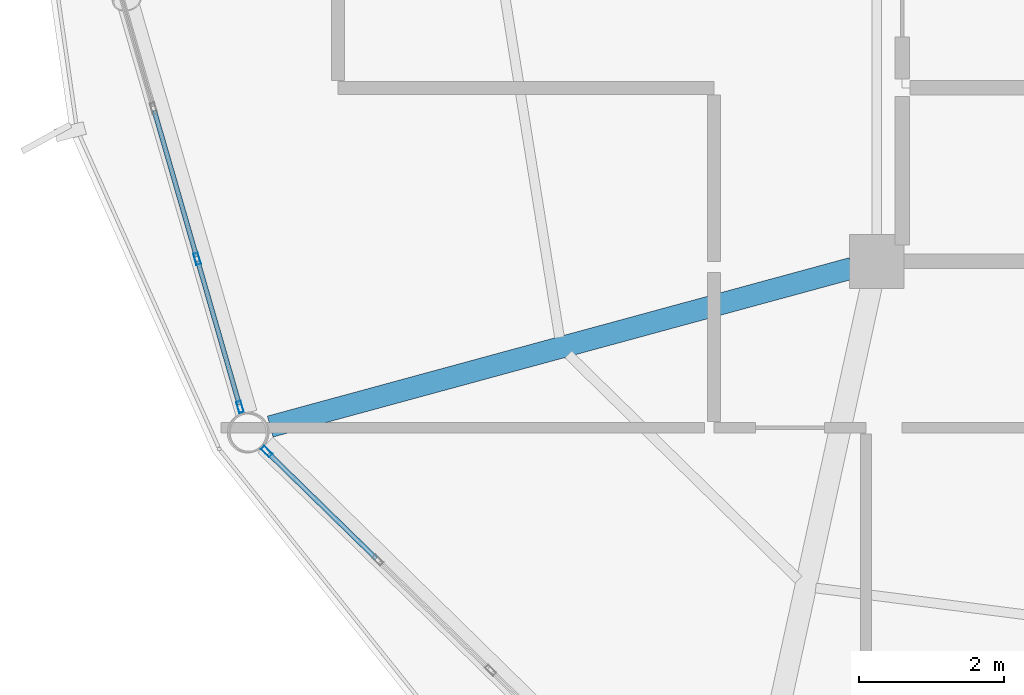
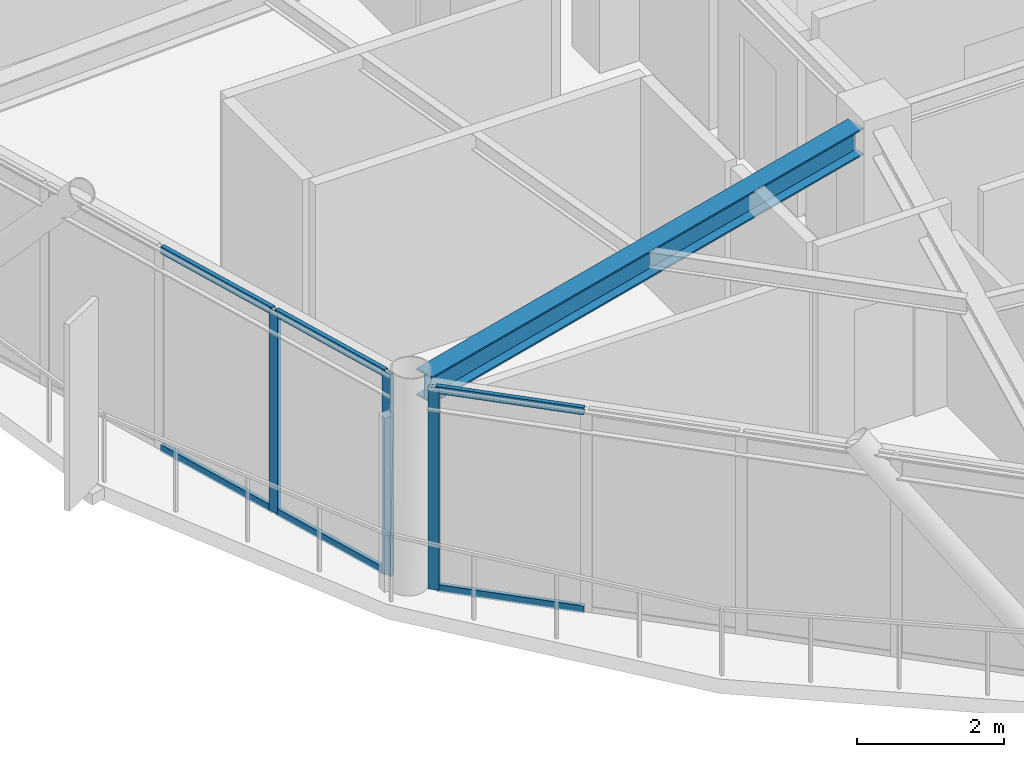
# One storey, part 4 of 27: 9 members, 1 beam, 2 elements without a shape of their own.
"""IFC4 building model written with IfcOpenShell, lengths in metres."""

from ifc_helpers import new_model, si_unit, direction, frame, origin, origin_2d, place, context, subcontext, project, spatial, hollow_rectangle, i_section, extrude, material, layer, layer_set, material_profile, profile_set, type_object, element, aggregate, save


model = new_model("IFC4")

# Units and contexts
model_context = context("Model", 3, precision=1e-05, world=origin(), true_north=direction((0.0, 1.0)))
body_context = subcontext(model_context, "Body", "Model", "MODEL_VIEW")
ifc_project = project(units=[si_unit("LENGTHUNIT", "METRE"), si_unit("AREAUNIT", "SQUARE_METRE"), si_unit("VOLUMEUNIT", "CUBIC_METRE"), si_unit("PLANEANGLEUNIT", "RADIAN"), si_unit("MASSUNIT", "GRAM", prefix="KILO")], contexts=[model_context])

# Site, building, storey
site_placement = place(None, origin())
site = spatial("IfcSite", under=ifc_project, at=site_placement, CompositionType="ELEMENT")
building_placement = place(site_placement, origin())
building = spatial("IfcBuilding", under=site, at=building_placement, Name="Varnakorn Sky Granary", CompositionType="ELEMENT")
storey_placement = place(building_placement, frame((0.0, 0.0, 249.0)))
storey = spatial("IfcBuildingStorey", under=building, at=storey_placement, Name="L63", CompositionType="ELEMENT", Elevation=249.0)

# Beam
ifc_material_1 = material(Name="Steel S355JR", Category="steel")
ifc_material_profile_1 = material_profile(ifc_material_1, i_section(OverallWidth=0.300048828125, OverallDepth=0.449951171875, WebThickness=0.013916015625, FlangeThickness=0.02587890625, at=origin_2d()), Name="HE 450 B")
ifc_profile_set_1 = profile_set([ifc_material_profile_1], Name="Steel S355JR")
beam_type = type_object("IfcBeamType", Name="BM-RAD-Z5", PredefinedType="BEAM", material=ifc_profile_set_1)
beam_placement = place(storey_placement, frame((-2.6923828125, -6.693115234375, 3.135009765625), z_axis=(-0.964894139151, -0.262639106441, 0.0), x_axis=(0.262639106441, -0.964894139151, 0.0)))
element("IfcBeam", 1, at=beam_placement, inside=storey, type_object=beam_type, Name="Radial Floor Girder RG08 L63", PredefinedType="BEAM", context=body_context, shape_type="SweptSolid", body=[
    extrude(i_section(OverallWidth=0.300048828125, OverallDepth=0.449951171875, WebThickness=0.013916015625, FlangeThickness=0.02587890625, at=origin_2d()), origin(), (0.0, 0.0, 1.0), 8.33642578125),
])

# Curtain wall, members
ifc_material_2 = material(Name="Anodised Bronze Aluminium Alloy 6063-T6", Category="aluminium")
ifc_layer = layer(ifc_material_2, 0.159912109375, Name="Anodised Bronze Aluminium Alloy 6063-T6")
ifc_layer_set = layer_set([ifc_layer], Name="Anodised Bronze Aluminium Alloy 6063-T6")
curtain_wall_type = type_object("IfcCurtainWallType", Name="CW-OFF-1", PredefinedType="USERDEFINED", material=ifc_layer_set)
curtain_wall_1_placement = place(storey_placement, origin())
curtain_wall_1 = element("IfcCurtainWall", 2, at=curtain_wall_1_placement, inside=storey, type_object=curtain_wall_type, Name="Unitised Curtain Wall CW6 CW-L63-B07", ObjectType="CURTAIN WALL", PredefinedType="USERDEFINED")
ifc_material_profile_2 = material_profile(ifc_material_2, hollow_rectangle(XDim=0.06494140625, YDim=0.159912109375, WallThickness=0.00341796875, at=origin_2d()), Name="ALU MULL 65x160")
ifc_profile_set_2 = profile_set([ifc_material_profile_2], Name="Anodised Bronze Aluminium Alloy 6063-T6")
member_type_1 = type_object("IfcMemberType", Name="CW-OFF-1-MULL", PredefinedType="MULLION", material=ifc_profile_set_2)
member_1_placement = place(storey_placement, frame((-11.153564453125, -8.611572265625, 0.0), z_axis=(0.0, 0.0, 1.0), x_axis=(-0.960610363601, -0.277898775352, 0.0)))
member_1 = element("IfcMember", 3, at=member_1_placement, type_object=member_type_1, Name="CW6 mullion 1", PredefinedType="MULLION", context=body_context, shape_type="SweptSolid", body=[
    extrude(hollow_rectangle(XDim=0.06494140625, YDim=0.159912109375, WallThickness=0.00341796875, at=origin_2d()), origin(), (0.0, 0.0, 1.0), 3.360107421875),
])
member_2_placement = place(storey_placement, frame((-11.74609375, -6.563720703125, 0.0), z_axis=(0.0, 0.0, 1.0), x_axis=(-0.960610363601, -0.277898775352, 0.0)))
member_2 = element("IfcMember", 4, at=member_2_placement, type_object=member_type_1, Name="CW6 mullion 2", PredefinedType="MULLION", context=body_context, shape_type="SweptSolid", body=[
    extrude(hollow_rectangle(XDim=0.06494140625, YDim=0.159912109375, WallThickness=0.00341796875, at=origin_2d()), origin(), (0.0, 0.0, 1.0), 3.360107421875),
])

# Curtain wall, member
curtain_wall_2_placement = place(storey_placement, origin())
curtain_wall_2 = element("IfcCurtainWall", 5, at=curtain_wall_2_placement, inside=storey, type_object=curtain_wall_type, Name="Unitised Curtain Wall CW6 CW-L63-B08", ObjectType="CURTAIN WALL", PredefinedType="USERDEFINED")
member_3_placement = place(storey_placement, frame((-10.7841796875, -9.22900390625, 0.0), z_axis=(0.0, 0.0, 1.0), x_axis=(-0.698832913663, -0.71528494936, 0.0)))
member_3 = element("IfcMember", 6, at=member_3_placement, type_object=member_type_1, Name="CW6 mullion 5", PredefinedType="MULLION", context=body_context, shape_type="SweptSolid", body=[
    extrude(hollow_rectangle(XDim=0.06494140625, YDim=0.159912109375, WallThickness=0.00341796875, at=origin_2d()), origin(), (0.0, 0.0, 1.0), 3.360107421875),
])

# Member
ifc_material_profile_3 = material_profile(ifc_material_2, hollow_rectangle(XDim=0.06494140625, YDim=0.1201171875, WallThickness=0.00341796875, at=origin_2d()), Name="ALU TRAN 65x120")
ifc_profile_set_3 = profile_set([ifc_material_profile_3], Name="Anodised Bronze Aluminium Alloy 6063-T6")
member_type_2 = type_object("IfcMemberType", Name="CW-OFF-1-TRAN", PredefinedType="USERDEFINED", material=ifc_profile_set_3)
member_4_placement = place(storey_placement, frame((-11.16259765625, -8.58056640625, 0.032470703125), z_axis=(-0.277917546695, 0.960604932966, 0.0), x_axis=(-0.960604932966, -0.277917546695, 0.0)))
member_4 = element("IfcMember", 7, at=member_4_placement, type_object=member_type_2, Name="CW6 transom 1.1", ObjectType="TRANSOM", PredefinedType="USERDEFINED", context=body_context, shape_type="SweptSolid", body=[
    extrude(hollow_rectangle(XDim=0.06494140625, YDim=0.1201171875, WallThickness=0.00341796875, at=origin_2d()), origin(), (0.0, 0.0, 1.0), 2.067138671875),
])

member_5_placement = place(storey_placement, frame((-11.16259765625, -8.58056640625, 3.327392578125), z_axis=(-0.277917546695, 0.960604932966, 0.0), x_axis=(-0.960604932966, -0.277917546695, 0.0)))
member_5 = element("IfcMember", 8, at=member_5_placement, type_object=member_type_2, Name="CW6 transom 1.2", ObjectType="TRANSOM", PredefinedType="USERDEFINED", context=body_context, shape_type="SweptSolid", body=[
    extrude(hollow_rectangle(XDim=0.06494140625, YDim=0.1201171875, WallThickness=0.00341796875, at=origin_2d()), origin(), (0.0, 0.0, 1.0), 2.067138671875),
])

member_6_placement = place(storey_placement, frame((-11.755126953125, -6.532470703125, 0.032470703125), z_axis=(-0.277914076871, 0.960605936832, 0.0), x_axis=(-0.960605936832, -0.277914076871, 0.0)))
member_6 = element("IfcMember", 9, at=member_6_placement, type_object=member_type_2, Name="CW6 transom 2.1", ObjectType="TRANSOM", PredefinedType="USERDEFINED", context=body_context, shape_type="SweptSolid", body=[
    extrude(hollow_rectangle(XDim=0.06494140625, YDim=0.1201171875, WallThickness=0.00341796875, at=origin_2d()), origin(), (0.0, 0.0, 1.0), 2.099609375),
])

member_7_placement = place(storey_placement, frame((-11.755126953125, -6.532470703125, 3.327392578125), z_axis=(-0.277914076871, 0.960605936832, 0.0), x_axis=(-0.960605936832, -0.277914076871, 0.0)))
member_7 = element("IfcMember", 10, at=member_7_placement, type_object=member_type_2, Name="CW6 transom 2.2", ObjectType="TRANSOM", PredefinedType="USERDEFINED", context=body_context, shape_type="SweptSolid", body=[
    extrude(hollow_rectangle(XDim=0.06494140625, YDim=0.1201171875, WallThickness=0.00341796875, at=origin_2d()), origin(), (0.0, 0.0, 1.0), 2.099609375),
])

aggregate(curtain_wall_1, [member_1, member_2, member_4, member_5, member_6, member_7])

member_8_placement = place(storey_placement, frame((-9.27197265625, -10.706298828125, 0.032470703125), z_axis=(-0.715327094579, 0.698789773652, 0.0), x_axis=(-0.698789773652, -0.715327094579, 0.0)))
member_8 = element("IfcMember", 11, at=member_8_placement, type_object=member_type_2, Name="CW6 transom 4.1", ObjectType="TRANSOM", PredefinedType="USERDEFINED", context=body_context, shape_type="SweptSolid", body=[
    extrude(hollow_rectangle(XDim=0.06494140625, YDim=0.1201171875, WallThickness=0.00341796875, at=origin_2d()), origin(), (0.0, 0.0, 1.0), 2.08154296875),
])

member_9_placement = place(storey_placement, frame((-9.27197265625, -10.706298828125, 3.327392578125), z_axis=(-0.715327094579, 0.698789773652, 0.0), x_axis=(-0.698789773652, -0.715327094579, 0.0)))
member_9 = element("IfcMember", 12, at=member_9_placement, type_object=member_type_2, Name="CW6 transom 4.2", ObjectType="TRANSOM", PredefinedType="USERDEFINED", context=body_context, shape_type="SweptSolid", body=[
    extrude(hollow_rectangle(XDim=0.06494140625, YDim=0.1201171875, WallThickness=0.00341796875, at=origin_2d()), origin(), (0.0, 0.0, 1.0), 2.08154296875),
])

aggregate(curtain_wall_2, [member_3, member_8, member_9])

save(model, "model.ifc")
